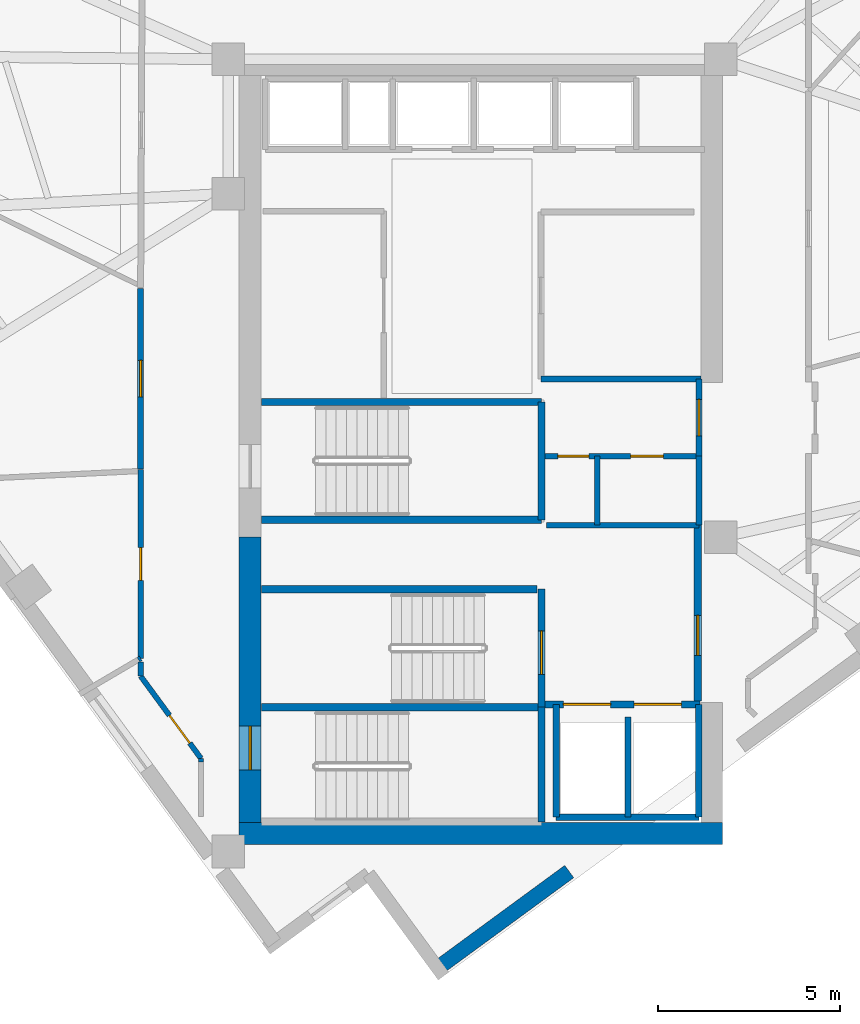
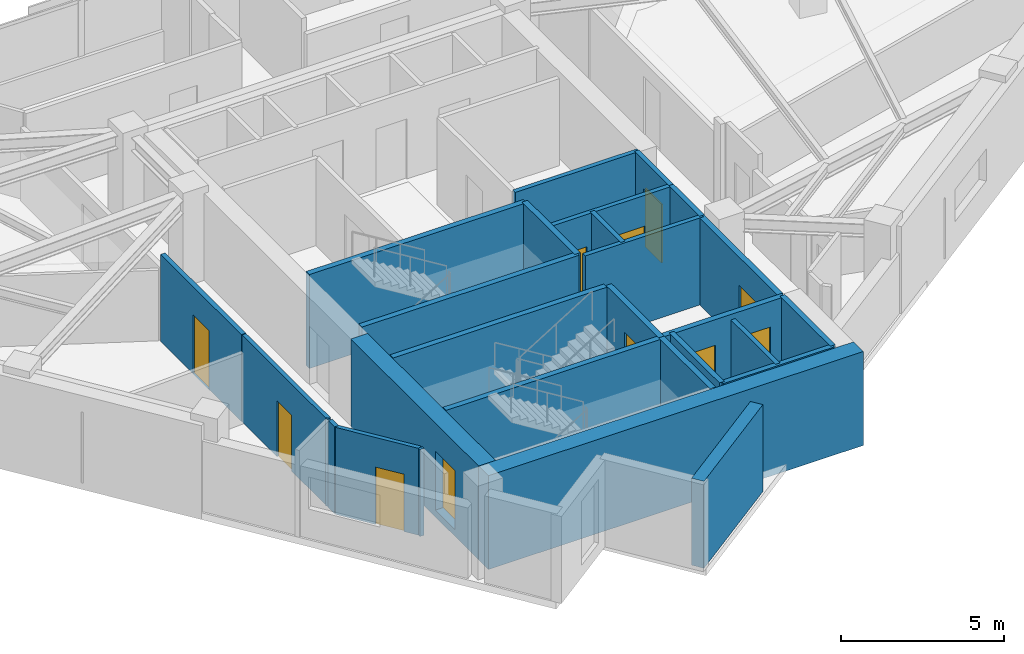
# One storey, part 8 of 13: 28 walls, 11 doors, 11 openings.
"""IFC4 building model written with IfcOpenShell, lengths in metres."""

import ifcopenshell
import ifcopenshell.guid

model = None  # the IFC model being written
_history = None  # IfcOwnerHistory: only IFC2X3 demands one
_inside = {}  # id of a spatial element -> (the spatial element, [elements in it])
_under = {}  # id of a project, library or spatial element -> (it, [spatial elements below it])
_declared = {}  # id of a project -> (the project, [libraries it declares])
_typed = {}  # id of a type object -> (the type object, [elements of that type])
_made_of = {}  # id of a material, layer set ... -> (it, [elements and type objects made of it])


def new_model(schema):
    """Start an empty IFC model of exactly this schema.

    Asked for "IFC4X3", IfcOpenShell would pick the latest addendum, in which some entities
    have other attributes; the version numbers below select the first issue.
    IFC2X3 requires an IfcOwnerHistory on every rooted entity: one is made here for all.
    """
    global model, _history
    if schema == "IFC4X3":
        model = ifcopenshell.file(schema_version=(4, 3, 0, 0))
    else:
        model = ifcopenshell.file(schema=schema)
    _inside.clear()
    _under.clear()
    _declared.clear()
    _typed.clear()
    _made_of.clear()
    _history = None
    if model.schema == "IFC2X3":
        org = make("IfcOrganization", Name="unknown")
        user = make(
            "IfcPersonAndOrganization",
            ThePerson=make("IfcPerson", FamilyName="unknown"),
            TheOrganization=org,
        )
        app = make(
            "IfcApplication",
            ApplicationDeveloper=org,
            Version="unknown",
            ApplicationFullName="unknown",
            ApplicationIdentifier="unknown",
        )
        _history = make(
            "IfcOwnerHistory",
            OwningUser=user,
            OwningApplication=app,
            ChangeAction="ADDED",
            CreationDate=0,
        )
    return model


def make(cls, **values):
    """One entity of the class cls with the attributes given. An attribute that is None is left unset."""
    return model.create_entity(
        cls, **{name: value for name, value in values.items() if value is not None}
    )


def rooted(cls, **values):
    """An entity with a GlobalId (a new one), such as an element, a storey or a relation."""
    return make(cls, GlobalId=ifcopenshell.guid.new(), OwnerHistory=_history, **values)


def si_unit(unit_type, name, prefix=None):
    """IfcSIUnit, for example si_unit("LENGTHUNIT", "METRE", prefix="MILLI")."""
    return make("IfcSIUnit", UnitType=unit_type, Prefix=prefix, Name=name)


def assignment(units):
    """IfcUnitAssignment: the units of a project."""
    return None if units is None else make("IfcUnitAssignment", Units=units)


def point(xyz):
    """IfcCartesianPoint."""
    return None if xyz is None else make("IfcCartesianPoint", Coordinates=xyz)


def direction(xyz):
    """IfcDirection."""
    return None if xyz is None else make("IfcDirection", DirectionRatios=xyz)


def frame(location, z_axis=None, x_axis=None):
    """IfcAxis2Placement3D, a coordinate frame: its origin and axes. An axis left out is left unset."""
    return make(
        "IfcAxis2Placement3D",
        Location=point(location),
        Axis=direction(z_axis),
        RefDirection=direction(x_axis),
    )


def frame_2d(location, x_axis=None):
    """IfcAxis2Placement2D, a coordinate frame in the plane: its origin and x axis."""
    return make(
        "IfcAxis2Placement2D", Location=point(location), RefDirection=direction(x_axis)
    )


def origin():
    """The frame at (0, 0, 0) with its axes left unset."""
    return frame((0.0, 0.0, 0.0))


def place(relative_to, where):
    """IfcLocalPlacement: puts the frame where relative to a parent placement (None: the world)."""
    return make(
        "IfcLocalPlacement", PlacementRelTo=relative_to, RelativePlacement=where
    )


def context(
    kind, dimensions, precision=None, world=None, true_north=None, identifier=None
):
    """IfcGeometricRepresentationContext, for example the 3D "Model" context."""
    return make(
        "IfcGeometricRepresentationContext",
        ContextIdentifier=identifier,
        ContextType=kind,
        CoordinateSpaceDimension=dimensions,
        Precision=precision,
        WorldCoordinateSystem=world,
        TrueNorth=true_north,
    )


def subcontext(parent, identifier, kind, view, scale=None):
    """IfcGeometricRepresentationSubContext, for example "Body" below "Model"."""
    return make(
        "IfcGeometricRepresentationSubContext",
        ContextIdentifier=identifier,
        ContextType=kind,
        ParentContext=parent,
        TargetScale=scale,
        TargetView=view,
    )


def project(units=None, contexts=None):
    """IfcProject with its units and contexts."""
    return rooted(
        "IfcProject",
        Name="project",
        RepresentationContexts=contexts,
        UnitsInContext=assignment(units),
    )


def spatial(cls, under=None, at=None, **own):
    """A site, building, storey or space (cls), placed at a placement, below another one or the project."""
    s = rooted(cls, ObjectPlacement=at, **own)
    if under is not None:
        _under.setdefault(under.id(), (under, []))[1].append(s)
    return s


def profile(cls, at=None, kind="AREA", **sizes):
    """A parametric profile (cls). Its sizes go by their IFC names, for example OverallWidth=200.0."""
    return make(cls, ProfileType=kind, Position=at, **sizes)


def rectangle(**sizes):
    """IfcRectangleProfileDef."""
    return profile("IfcRectangleProfileDef", **sizes)


def extrude(swept, where, along, depth):
    """IfcExtrudedAreaSolid: the profile swept, set in the frame where, extruded along a direction by depth."""
    return make(
        "IfcExtrudedAreaSolid",
        SweptArea=swept,
        Position=where,
        ExtrudedDirection=direction(along),
        Depth=depth,
    )


def shape(context_of_items, identifier, shape_type, items):
    """IfcShapeRepresentation: the items that make up one representation, for example the "Body"."""
    return make(
        "IfcShapeRepresentation",
        ContextOfItems=context_of_items,
        RepresentationIdentifier=identifier,
        RepresentationType=shape_type,
        Items=items,
    )


def material(Name=None, Category=None):
    """IfcMaterial."""
    return make("IfcMaterial", Name=Name, Category=Category)


def layer(
    of_material, thickness, ventilated=None, Name=None, Category=None, Priority=None
):
    """IfcMaterialLayer: one layer of a wall or slab, of a material (None: an air gap)."""
    return make(
        "IfcMaterialLayer",
        Material=of_material,
        LayerThickness=thickness,
        IsVentilated=ventilated,
        Name=Name,
        Category=Category,
        Priority=Priority,
    )


def layer_set(layers, Name=None):
    """IfcMaterialLayerSet."""
    return make("IfcMaterialLayerSet", MaterialLayers=layers, LayerSetName=Name)


def made_of(thing, what):
    """Note that an element or type object is made of a material, layer set ...; save() writes the relation."""
    if what is not None:
        _made_of.setdefault(what.id(), (what, []))[1].append(thing)
    return thing


def type_object(cls, material=None, **own):
    """A type object (cls), such as IfcWallType, which elements share."""
    return made_of(rooted(cls, **own), material)


def element(
    cls,
    number,
    at=None,
    inside=None,
    cuts=None,
    type_object=None,
    material=None,
    context=None,
    identifier="Body",
    shape_type=None,
    held_by="IfcProductDefinitionShape",
    body=None,
    shapes=None,
    **own,
):
    """One element of the class cls, such as IfcWall. Its Tag is "e" and its number.

    at: its placement. inside: the storey or other place that contains it. cuts: it is an
    opening in that element (IfcRelVoidsElement). A single representation is given by context,
    identifier, shape_type and body (its items); several are given by shapes. held_by: the class
    of the entity that holds the representations. save() writes the other relations.
    """
    e = rooted(cls, Tag="e%d" % number, ObjectPlacement=at, **own)
    if body is not None:
        shapes = [shape(context, identifier, shape_type, body)]
    if shapes is not None:
        e.Representation = make(held_by, Representations=shapes)
    if inside is not None:
        _inside.setdefault(inside.id(), (inside, []))[1].append(e)
    if cuts is not None:
        rooted(
            "IfcRelVoidsElement", RelatingBuildingElement=cuts, RelatedOpeningElement=e
        )
    if type_object is not None:
        _typed.setdefault(type_object.id(), (type_object, []))[1].append(e)
    return made_of(e, material)


def fill(opening, filler):
    """IfcRelFillsElement: the door or window that sits in an opening."""
    return rooted(
        "IfcRelFillsElement",
        RelatingOpeningElement=opening,
        RelatedBuildingElement=filler,
    )


def aggregate(whole, parts):
    """IfcRelAggregates: a whole, such as a stair, and the parts it consists of."""
    return rooted("IfcRelAggregates", RelatingObject=whole, RelatedObjects=parts)


def save(model, path):
    """Write the relations noted so far, then the file.

    IfcRelAggregates (storeys below a building ...), IfcRelContainedInSpatialStructure (elements
    in a storey), IfcRelDefinesByType, IfcRelAssociatesMaterial and IfcRelDeclares: one each for
    every whole, place, type object, material and project.
    """
    for whole, parts in _under.values():
        aggregate(whole, parts)
    for where, things in _inside.values():
        rooted(
            "IfcRelContainedInSpatialStructure",
            RelatedElements=things,
            RelatingStructure=where,
        )
    for kind, things in _typed.values():
        rooted("IfcRelDefinesByType", RelatedObjects=things, RelatingType=kind)
    for what, things in _made_of.values():
        rooted("IfcRelAssociatesMaterial", RelatedObjects=things, RelatingMaterial=what)
    for by, libraries in _declared.values():
        rooted("IfcRelDeclares", RelatingContext=by, RelatedDefinitions=libraries)
    model.write(path)


model = new_model("IFC4")

# Units and contexts
model_context = context("Model", 3, precision=1e-05, world=origin(), true_north=direction((0.0, 1.0)))
body_context = subcontext(model_context, "Body", "Model", "MODEL_VIEW")
ifc_project = project(units=[si_unit("LENGTHUNIT", "METRE"), si_unit("AREAUNIT", "SQUARE_METRE"), si_unit("VOLUMEUNIT", "CUBIC_METRE"), si_unit("PLANEANGLEUNIT", "RADIAN"), si_unit("MASSUNIT", "GRAM", prefix="KILO")], contexts=[model_context])

# Site, building, storey
site_placement = place(None, origin())
site = spatial("IfcSite", under=ifc_project, at=site_placement, CompositionType="ELEMENT")
building_placement = place(site_placement, origin())
building = spatial("IfcBuilding", under=site, at=building_placement, Name="Narakoshi Arena Tower", CompositionType="ELEMENT")
storey_placement = place(building_placement, frame((0.0, 0.0, 257.219970703125)))
storey = spatial("IfcBuildingStorey", under=building, at=storey_placement, Name="L70", CompositionType="ELEMENT", Elevation=257.219970703125)

# Wall, opening, door
ifc_material_1 = material(Name="Concrete C50/60", Category="concrete")
ifc_layer_1 = layer(ifc_material_1, 0.60009765625)
ifc_layer_set_1 = layer_set([ifc_layer_1], Name="Concrete C50/60")
wall_type_1 = type_object("IfcWallType", Name="WL-CORE-600", PredefinedType="SHEAR", material=ifc_layer_set_1)
wall_1_placement = place(storey_placement, frame((72.60009765625, 35.5, -0.260009765625), z_axis=(0.0, 0.0, 1.0), x_axis=(0.0, 1.0, 0.0)))
wall_1 = element("IfcWall", 1, at=wall_1_placement, inside=storey, type_object=wall_type_1, Name="L70 Central Core Shear Wall CW-APX-W", PredefinedType="SHEAR", context=body_context, shape_type="SweptSolid", body=[
    extrude(rectangle(XDim=7.85009765625, YDim=0.60009765625, at=frame_2d((3.925048828125, 0.0))), origin(), (0.0, 0.0, 1.0), 3.52001953125),
])
opening_1_placement = place(wall_1_placement, frame((1.449951171875, 0.0, 0.260009765625)))
opening_1 = element("IfcOpeningElement", 2, at=opening_1_placement, cuts=wall_1, Name="Opening D-03", PredefinedType="OPENING", context=body_context, shape_type="SweptSolid", body=[
    extrude(rectangle(XDim=1.199951171875, YDim=2.199951171875, at=frame_2d((0.60009765625, 1.10009765625))), frame((0.0, 0.31005859375, 0.0), z_axis=(0.0, -1.0, 0.0), x_axis=(1.0, 0.0, 0.0)), (0.0, 0.0, 1.0), 0.6201171875),
])
ifc_material_2 = material(Name="Painted galvanized steel", Category="steel")
door_type_1 = type_object("IfcDoorType", Name="DR-STR-1200", OperationType="NOTDEFINED", PredefinedType="USERDEFINED", material=ifc_material_2)
door_1_placement = place(opening_1_placement, frame((1.199951171875, 0.0, 0.0), z_axis=(0.0, 0.0, 1.0), x_axis=(-1.0, 0.0, 0.0)))
door_1 = element("IfcDoor", 3, at=door_1_placement, inside=storey, type_object=door_type_1, Name="DR-L70-001", ObjectType="EXITDOOR", OperationType="SINGLE_SWING_LEFT", OverallHeight=2.199951171875, OverallWidth=1.199951171875, PredefinedType="USERDEFINED", context=body_context, shape_type="SweptSolid", body=[
    extrude(rectangle(XDim=1.199951171875, YDim=2.199951171875, at=frame_2d((0.60009765625, 1.10009765625))), frame((0.0, 0.02490234375, 0.0), z_axis=(0.0, -1.0, 0.0), x_axis=(1.0, 0.0, 0.0)), (0.0, 0.0, 1.0), 0.050048828125),
])
fill(opening_1, door_1)

# Wall
wall_2_placement = place(storey_placement, frame((72.300048828125, 35.199951171875, -0.260009765625), z_axis=(0.0, 0.0, 1.0), x_axis=(1.0, 0.0, 0.0)))
element("IfcWall", 4, at=wall_2_placement, inside=storey, type_object=wall_type_1, Name="L70 Central Core Shear Wall CW-APX-S", PredefinedType="SHEAR", context=body_context, shape_type="SweptSolid", body=[
    extrude(rectangle(XDim=13.300048828125, YDim=0.60009765625, at=frame_2d((6.64990234375, 0.0))), origin(), (0.0, 0.0, 1.0), 3.52001953125),
])

# Wall, opening, door
ifc_material_3 = material(Name="Gypsum plasterboard fire-rated partition")
ifc_layer_2 = layer(ifc_material_3, 0.1650390625)
ifc_layer_set_2 = layer_set([ifc_layer_2], Name="Gypsum plasterboard fire-rated partition")
wall_type_2 = type_object("IfcWallType", Name="WL-CORR-165", PredefinedType="PARTITIONING", material=ifc_layer_set_2)
wall_3_placement = place(storey_placement, frame((84.949951171875, 45.580078125, 0.0), z_axis=(0.0, 0.0, 1.0), x_axis=(0.0, 1.0, 0.0)))
wall_3 = element("IfcWall", 5, at=wall_3_placement, inside=storey, type_object=wall_type_2, Name="L70 Core Wall CPAS-E", PredefinedType="PARTITIONING", context=body_context, shape_type="SweptSolid", body=[
    extrude(rectangle(XDim=2.119873046875, YDim=0.1650390625, at=frame_2d((1.06005859375, 0.0))), origin(), (0.0, 0.0, 1.0), 3.260009765625),
])
opening_2_placement = place(wall_3_placement, frame((0.56005859375, 0.0, 0.0)))
opening_2 = element("IfcOpeningElement", 6, at=opening_2_placement, cuts=wall_3, Name="Opening D-06", PredefinedType="OPENING", context=body_context, shape_type="SweptSolid", body=[
    extrude(rectangle(XDim=1.0, YDim=2.199951171875, at=frame_2d((0.5, 1.10009765625))), frame((0.0, 0.092529296875, 0.0), z_axis=(0.0, -1.0, 0.0), x_axis=(1.0, 0.0, 0.0)), (0.0, 0.0, 1.0), 0.18505859375),
])
ifc_material_4 = material(Name="Stained oak solid-core timber", Category="wood")
door_type_2 = type_object("IfcDoorType", Name="DR-OFF-1000", OperationType="NOTDEFINED", PredefinedType="DOOR", material=ifc_material_4)
door_2_placement = place(opening_2_placement, frame((1.0, 0.0, 0.0), z_axis=(0.0, 0.0, 1.0), x_axis=(-1.0, 0.0, 0.0)))
door_2 = element("IfcDoor", 7, at=door_2_placement, inside=storey, type_object=door_type_2, Name="DR-L70-007", OperationType="SINGLE_SWING_LEFT", OverallHeight=2.199951171875, OverallWidth=1.0, PredefinedType="DOOR", context=body_context, shape_type="SweptSolid", body=[
    extrude(rectangle(XDim=1.0, YDim=2.199951171875, at=frame_2d((0.5, 1.10009765625))), frame((0.0, 0.02490234375, 0.0), z_axis=(0.0, -1.0, 0.0), x_axis=(1.0, 0.0, 0.0)), (0.0, 0.0, 1.0), 0.050048828125),
])
fill(opening_2, door_2)

wall_4_placement = place(storey_placement, frame((69.588623046875, 50.19287109375, 0.0), z_axis=(0.0, 0.0, 1.0), x_axis=(0.0, -1.0, 0.0)))
wall_4 = element("IfcWall", 8, at=wall_4_placement, inside=storey, type_object=wall_type_2, Name="L70 Corridor Partition 09-1", PredefinedType="PARTITIONING", context=body_context, shape_type="SweptSolid", body=[
    extrude(rectangle(XDim=4.96044921875, YDim=0.1650390625, at=frame_2d((2.480224609375, 0.0))), origin(), (0.0, 0.0, 1.0), 3.260009765625),
])
opening_3_placement = place(wall_4_placement, frame((1.980224609375, 0.0, 0.0)))
opening_3 = element("IfcOpeningElement", 9, at=opening_3_placement, cuts=wall_4, Name="Opening D-06", PredefinedType="OPENING", context=body_context, shape_type="SweptSolid", body=[
    extrude(rectangle(XDim=1.0, YDim=2.199951171875, at=frame_2d((0.5, 1.10009765625))), frame((0.0, 0.092529296875, 0.0), z_axis=(0.0, -1.0, 0.0), x_axis=(1.0, 0.0, 0.0)), (0.0, 0.0, 1.0), 0.18505859375),
])
door_3_placement = place(opening_3_placement, frame((1.0, 0.0, 0.0), z_axis=(0.0, 0.0, 1.0), x_axis=(-1.0, 0.0, 0.0)))
door_3 = element("IfcDoor", 10, at=door_3_placement, inside=storey, type_object=door_type_2, Name="DR-L70-023", OperationType="SINGLE_SWING_RIGHT", OverallHeight=2.199951171875, OverallWidth=1.0, PredefinedType="DOOR", context=body_context, shape_type="SweptSolid", body=[
    extrude(rectangle(XDim=1.0, YDim=2.199951171875, at=frame_2d((0.5, 1.10009765625))), frame((0.0, 0.02490234375, 0.0), z_axis=(0.0, -1.0, 0.0), x_axis=(1.0, 0.0, 0.0)), (0.0, 0.0, 1.0), 0.050048828125),
])
fill(opening_3, door_3)

# Walls
ifc_material_5 = material(Name="Precast concrete C45/55", Category="concrete")
ifc_layer_3 = layer(ifc_material_5, 0.419921875)
ifc_layer_set_3 = layer_set([ifc_layer_3], Name="Precast concrete C45/55")
wall_type_3 = type_object("IfcWallType", Name="WL-POD-420", PredefinedType="SOLIDWALL", material=ifc_layer_set_3)
wall_5_placement = place(storey_placement, frame((77.760009765625, 31.4951171875, 0.0), z_axis=(0.0, 0.0, 1.0), x_axis=(0.806458583304, 0.591290582891, 0.0)))
element("IfcWall", 11, at=wall_5_placement, inside=storey, type_object=wall_type_3, Name="L70 Architectural Concrete Facade Wall LEGA-1", PredefinedType="SOLIDWALL", context=body_context, shape_type="SweptSolid", body=[
    extrude(rectangle(XDim=4.48974609375, YDim=0.419921875, at=frame_2d((2.244873046875, 0.0))), origin(), (0.0, 0.0, 1.0), 3.260009765625),
])
ifc_material_6 = material(Name="Concrete C40/50", Category="concrete")
ifc_layer_4 = layer(ifc_material_6, 0.280029296875)
ifc_layer_set_4 = layer_set([ifc_layer_4], Name="Concrete C40/50")
wall_type_4 = type_object("IfcWallType", Name="WL-RISER-280", PredefinedType="PLUMBINGWALL", material=ifc_layer_set_4)
wall_6_placement = place(storey_placement, frame((83.0, 35.64990234375, 0.0), z_axis=(0.0, 0.0, 1.0), x_axis=(0.0, 1.0, 0.0)))
element("IfcWall", 12, at=wall_6_placement, inside=storey, type_object=wall_type_4, Name="L70 Core Wall FF-DIV", PredefinedType="PLUMBINGWALL", context=body_context, shape_type="SweptSolid", body=[
    extrude(rectangle(XDim=2.75, YDim=0.159912109375, at=frame_2d((1.375, 0.0))), origin(), (0.0, 0.0, 1.0), 3.260009765625),
])
wall_7_placement = place(storey_placement, frame((84.949951171875, 43.679931640625, 0.0), z_axis=(0.0, 0.0, 1.0), x_axis=(0.0, 1.0, 0.0)))
element("IfcWall", 13, at=wall_7_placement, inside=storey, type_object=wall_type_4, Name="L70 Core Wall RSR-E", PredefinedType="PLUMBINGWALL", context=body_context, shape_type="SweptSolid", body=[
    extrude(rectangle(XDim=1.900146484375, YDim=0.1650390625, at=frame_2d((0.9501953125, 0.0))), origin(), (0.0, 0.0, 1.0), 3.260009765625),
])

# Wall, openings, doors
wall_8_placement = place(storey_placement, frame((80.719970703125, 45.580078125, 0.0), z_axis=(0.0, 0.0, 1.0), x_axis=(1.0, 0.0, 0.0)))
wall_8 = element("IfcWall", 14, at=wall_8_placement, inside=storey, type_object=wall_type_4, Name="L70 Core Wall RSR-N", PredefinedType="PLUMBINGWALL", context=body_context, shape_type="SweptSolid", body=[
    extrude(rectangle(XDim=4.22998046875, YDim=0.159912109375, at=frame_2d((2.114990234375, 0.0))), origin(), (0.0, 0.0, 1.0), 3.260009765625),
])
opening_4_placement = place(wall_8_placement, frame((0.35009765625, 0.0, 0.0)))
opening_4 = element("IfcOpeningElement", 15, at=opening_4_placement, cuts=wall_8, Name="Opening D-10", PredefinedType="OPENING", context=body_context, shape_type="SweptSolid", body=[
    extrude(rectangle(XDim=0.85009765625, YDim=2.050048828125, at=frame_2d((0.425048828125, 1.02490234375))), frame((0.0, 0.08984375, 0.0), z_axis=(0.0, -1.0, 0.0), x_axis=(1.0, 0.0, 0.0)), (0.0, 0.0, 1.0), 0.179931640625),
])
opening_5_placement = place(wall_8_placement, frame((2.35009765625, 0.0, 0.0)))
opening_5 = element("IfcOpeningElement", 16, at=opening_5_placement, cuts=wall_8, Name="Opening D-08", PredefinedType="OPENING", context=body_context, shape_type="SweptSolid", body=[
    extrude(rectangle(XDim=0.89990234375, YDim=2.10009765625, at=frame_2d((0.449951171875, 1.050048828125))), frame((0.0, 0.08984375, 0.0), z_axis=(0.0, -1.0, 0.0), x_axis=(1.0, 0.0, 0.0)), (0.0, 0.0, 1.0), 0.179931640625),
])
door_type_3 = type_object("IfcDoorType", Name="DR-RSR-850", OperationType="NOTDEFINED", PredefinedType="DOOR", material=ifc_material_2)
door_4_placement = place(opening_4_placement, frame((0.85009765625, 0.0, 0.0), z_axis=(0.0, 0.0, 1.0), x_axis=(-1.0, 0.0, 0.0)))
door_4 = element("IfcDoor", 17, at=door_4_placement, inside=storey, type_object=door_type_3, Name="DR-L70-008", OperationType="SINGLE_SWING_LEFT", OverallHeight=2.050048828125, OverallWidth=0.85009765625, PredefinedType="DOOR", context=body_context, shape_type="SweptSolid", body=[
    extrude(rectangle(XDim=0.85009765625, YDim=2.050048828125, at=frame_2d((0.425048828125, 1.02490234375))), frame((0.0, 0.02490234375, 0.0), z_axis=(0.0, -1.0, 0.0), x_axis=(1.0, 0.0, 0.0)), (0.0, 0.0, 1.0), 0.050048828125),
])
fill(opening_4, door_4)
ifc_material_7 = material(Name="Moisture-resistant laminate timber", Category="wood")
door_type_4 = type_object("IfcDoorType", Name="DR-WC-900", OperationType="NOTDEFINED", PredefinedType="DOOR", material=ifc_material_7)
door_5_placement = place(opening_5_placement, frame((0.89990234375, 0.0, 0.0), z_axis=(0.0, 0.0, 1.0), x_axis=(-1.0, 0.0, 0.0)))
door_5 = element("IfcDoor", 18, at=door_5_placement, inside=storey, type_object=door_type_4, Name="DR-L70-009", OperationType="SINGLE_SWING_RIGHT", OverallHeight=2.10009765625, OverallWidth=0.89990234375, PredefinedType="DOOR", context=body_context, shape_type="SweptSolid", body=[
    extrude(rectangle(XDim=0.89990234375, YDim=2.10009765625, at=frame_2d((0.449951171875, 1.050048828125))), frame((0.0, 0.02490234375, 0.0), z_axis=(0.0, -1.0, 0.0), x_axis=(1.0, 0.0, 0.0)), (0.0, 0.0, 1.0), 0.050048828125),
])
fill(opening_5, door_5)

# Walls
wall_9_placement = place(storey_placement, frame((80.760009765625, 43.679931640625, 0.0), z_axis=(0.0, 0.0, 1.0), x_axis=(1.0, 0.0, 0.0)))
element("IfcWall", 19, at=wall_9_placement, inside=storey, type_object=wall_type_4, Name="L70 Core Wall RSR-S", PredefinedType="PLUMBINGWALL", context=body_context, shape_type="SweptSolid", body=[
    extrude(rectangle(XDim=4.18994140625, YDim=0.159912109375, at=frame_2d((2.094970703125, 0.0))), origin(), (0.0, 0.0, 1.0), 3.260009765625),
])
wall_10_placement = place(storey_placement, frame((82.14990234375, 43.679931640625, 0.0), z_axis=(0.0, 0.0, 1.0), x_axis=(0.0, 1.0, 0.0)))
element("IfcWall", 20, at=wall_10_placement, inside=storey, type_object=wall_type_4, Name="L70 Core Wall RSR-M", PredefinedType="PLUMBINGWALL", context=body_context, shape_type="SweptSolid", body=[
    extrude(rectangle(XDim=1.900146484375, YDim=0.159912109375, at=frame_2d((0.9501953125, 0.0))), origin(), (0.0, 0.0, 1.0), 3.260009765625),
])
ifc_layer_5 = layer(ifc_material_1, 0.35009765625)
ifc_layer_set_5 = layer_set([ifc_layer_5], Name="Concrete C50/60")
wall_type_5 = type_object("IfcWallType", Name="WL-SHAFT-350", PredefinedType="SOLIDWALL", material=ifc_layer_set_5)
wall_11_placement = place(storey_placement, frame((72.919921875, 38.675048828125, -0.260009765625), z_axis=(0.0, 0.0, 1.0), x_axis=(1.0, 0.0, 0.0)))
element("IfcWall", 21, at=wall_11_placement, inside=storey, type_object=wall_type_5, Name="L70 Core Wall ST12-DIV", PredefinedType="SOLIDWALL", context=body_context, shape_type="SweptSolid", body=[
    extrude(rectangle(XDim=7.7001953125, YDim=0.199951171875, at=frame_2d((3.85009765625, 0.0))), origin(), (0.0, 0.0, 1.0), 3.52001953125),
])
wall_12_placement = place(storey_placement, frame((80.6201171875, 35.52001953125, -0.260009765625), z_axis=(0.0, 0.0, 1.0), x_axis=(0.0, 1.0, 0.0)))
element("IfcWall", 22, at=wall_12_placement, inside=storey, type_object=wall_type_5, Name="L70 Core Wall ST1-E", PredefinedType="SOLIDWALL", context=body_context, shape_type="SweptSolid", body=[
    extrude(rectangle(XDim=3.155029296875, YDim=0.199951171875, at=frame_2d((1.57763671875, 0.0))), origin(), (0.0, 0.0, 1.0), 3.52001953125),
])

# Wall, opening, door
wall_13_placement = place(storey_placement, frame((80.6201171875, 38.675048828125, -0.260009765625), z_axis=(0.0, 0.0, 1.0), x_axis=(0.0, 1.0, 0.0)))
wall_13 = element("IfcWall", 23, at=wall_13_placement, inside=storey, type_object=wall_type_5, Name="L70 Core Wall ST2-E", PredefinedType="SOLIDWALL", context=body_context, shape_type="SweptSolid", body=[
    extrude(rectangle(XDim=3.244873046875, YDim=0.199951171875, at=frame_2d((1.62255859375, 0.0))), origin(), (0.0, 0.0, 1.0), 3.52001953125),
])
opening_6_placement = place(wall_13_placement, frame((0.89990234375, 0.0, 0.260009765625)))
opening_6 = element("IfcOpeningElement", 24, at=opening_6_placement, cuts=wall_13, Name="Opening D-03", PredefinedType="OPENING", context=body_context, shape_type="SweptSolid", body=[
    extrude(rectangle(XDim=1.199951171875, YDim=2.199951171875, at=frame_2d((0.60009765625, 1.10009765625))), frame((0.0, 0.10986328125, 0.0), z_axis=(0.0, -1.0, 0.0), x_axis=(1.0, 0.0, 0.0)), (0.0, 0.0, 1.0), 0.219970703125),
])
door_6_placement = place(opening_6_placement, origin())
door_6 = element("IfcDoor", 25, at=door_6_placement, inside=storey, type_object=door_type_1, Name="DR-L70-002", ObjectType="EXITDOOR", OperationType="SINGLE_SWING_RIGHT", OverallHeight=2.199951171875, OverallWidth=1.199951171875, PredefinedType="USERDEFINED", context=body_context, shape_type="SweptSolid", body=[
    extrude(rectangle(XDim=1.199951171875, YDim=2.199951171875, at=frame_2d((0.60009765625, 1.10009765625))), frame((0.0, 0.02490234375, 0.0), z_axis=(0.0, -1.0, 0.0), x_axis=(1.0, 0.0, 0.0)), (0.0, 0.0, 1.0), 0.050048828125),
])
fill(opening_6, door_6)

# Wall, openings, doors
wall_14_placement = place(storey_placement, frame((80.719970703125, 38.75, 0.0), z_axis=(0.0, 0.0, 1.0), x_axis=(1.0, 0.0, 0.0)))
wall_14 = element("IfcWall", 26, at=wall_14_placement, inside=storey, type_object=wall_type_5, Name="L70 Core Wall FF-N", PredefinedType="SOLIDWALL", context=body_context, shape_type="SweptSolid", body=[
    extrude(rectangle(XDim=4.260009765625, YDim=0.199951171875, at=frame_2d((2.1298828125, 0.0))), origin(), (0.0, 0.0, 1.0), 3.260009765625),
])
opening_7_placement = place(wall_14_placement, frame((0.5, 0.0, 0.0)))
opening_7 = element("IfcOpeningElement", 27, at=opening_7_placement, cuts=wall_14, Name="Opening LD-02", PredefinedType="OPENING", context=body_context, shape_type="SweptSolid", body=[
    extrude(rectangle(XDim=1.300048828125, YDim=2.300048828125, at=frame_2d((0.64990234375, 1.14990234375))), frame((0.0, 0.10986328125, 0.0), z_axis=(0.0, -1.0, 0.0), x_axis=(1.0, 0.0, 0.0)), (0.0, 0.0, 1.0), 0.219970703125),
])
opening_8_placement = place(wall_14_placement, frame((2.449951171875, 0.0, 0.0)))
opening_8 = element("IfcOpeningElement", 28, at=opening_8_placement, cuts=wall_14, Name="Opening LD-02", PredefinedType="OPENING", context=body_context, shape_type="SweptSolid", body=[
    extrude(rectangle(XDim=1.300048828125, YDim=2.300048828125, at=frame_2d((0.64990234375, 1.14990234375))), frame((0.0, 0.10986328125, 0.0), z_axis=(0.0, -1.0, 0.0), x_axis=(1.0, 0.0, 0.0)), (0.0, 0.0, 1.0), 0.219970703125),
])
ifc_material_8 = material(Name="Brushed bronze stainless steel", Category="steel")
door_type_5 = type_object("IfcDoorType", Name="DR-LFT-1300", OperationType="DOUBLE_DOOR_SLIDING", PredefinedType="DOOR", material=ifc_material_8)
door_7_placement = place(opening_7_placement, origin())
door_7 = element("IfcDoor", 29, at=door_7_placement, inside=storey, type_object=door_type_5, Name="DR-L70-003", OperationType="DOUBLE_DOOR_SLIDING", OverallHeight=2.300048828125, OverallWidth=1.300048828125, PredefinedType="DOOR", context=body_context, shape_type="SweptSolid", body=[
    extrude(rectangle(XDim=1.300048828125, YDim=2.300048828125, at=frame_2d((0.64990234375, 1.14990234375))), frame((0.0, 0.02490234375, 0.0), z_axis=(0.0, -1.0, 0.0), x_axis=(1.0, 0.0, 0.0)), (0.0, 0.0, 1.0), 0.050048828125),
])
fill(opening_7, door_7)
door_8_placement = place(opening_8_placement, origin())
door_8 = element("IfcDoor", 30, at=door_8_placement, inside=storey, type_object=door_type_5, Name="DR-L70-004", OperationType="DOUBLE_DOOR_SLIDING", OverallHeight=2.300048828125, OverallWidth=1.300048828125, PredefinedType="DOOR", context=body_context, shape_type="SweptSolid", body=[
    extrude(rectangle(XDim=1.300048828125, YDim=2.300048828125, at=frame_2d((0.64990234375, 1.14990234375))), frame((0.0, 0.02490234375, 0.0), z_axis=(0.0, -1.0, 0.0), x_axis=(1.0, 0.0, 0.0)), (0.0, 0.0, 1.0), 0.050048828125),
])
fill(opening_8, door_8)

# Walls
for number, where, z_axis, x_axis, name in (
    (31, (84.949951171875, 35.64990234375, 0.0), (0.0, 0.0, 1.0), (0.0, 1.0, 0.0), "L70 Core Wall FF-E"),
    (32, (81.02001953125, 35.64990234375, 0.0), (0.0, 0.0, 1.0), (0.0, 1.0, 0.0), "L70 Core Wall FF-W"),
):
    element("IfcWall", number, at=place(storey_placement, frame(where, z_axis=z_axis, x_axis=x_axis)), inside=storey, type_object=wall_type_5, Name=name, PredefinedType="SOLIDWALL", context=body_context, shape_type="SweptSolid", body=[
        extrude(rectangle(XDim=3.10009765625, YDim=0.179931640625, at=frame_2d((1.550048828125, 0.0))), origin(), (0.0, 0.0, 1.0), 3.260009765625),
    ])
wall_15_placement = place(storey_placement, frame((81.02001953125, 35.64990234375, 0.0), z_axis=(0.0, 0.0, 1.0), x_axis=(1.0, 0.0, 0.0)))
element("IfcWall", 33, at=wall_15_placement, inside=storey, type_object=wall_type_5, Name="L70 Core Wall FF-S", PredefinedType="SOLIDWALL", context=body_context, shape_type="SweptSolid", body=[
    extrude(rectangle(XDim=3.929931640625, YDim=0.179931640625, at=frame_2d((1.96484375, 0.0))), origin(), (0.0, 0.0, 1.0), 3.260009765625),
])

# Wall, opening, door
wall_16_placement = place(storey_placement, frame((84.919921875, 38.85009765625, 0.0), z_axis=(0.0, 0.0, 1.0), x_axis=(0.0, 1.0, 0.0)))
wall_16 = element("IfcWall", 34, at=wall_16_placement, inside=storey, type_object=wall_type_5, Name="L70 Core Wall FFLOB-E", PredefinedType="SOLIDWALL", context=body_context, shape_type="SweptSolid", body=[
    extrude(rectangle(XDim=4.829833984375, YDim=0.199951171875, at=frame_2d((2.4150390625, 0.0))), origin(), (0.0, 0.0, 1.0), 3.260009765625),
])
opening_9_placement = place(wall_16_placement, frame((1.25, 0.0, 0.0)))
opening_9 = element("IfcOpeningElement", 35, at=opening_9_placement, cuts=wall_16, Name="Opening D-04", PredefinedType="OPENING", context=body_context, shape_type="SweptSolid", body=[
    extrude(rectangle(XDim=1.10009765625, YDim=2.199951171875, at=frame_2d((0.550048828125, 1.10009765625))), frame((0.0, 0.10986328125, 0.0), z_axis=(0.0, -1.0, 0.0), x_axis=(1.0, 0.0, 0.0)), (0.0, 0.0, 1.0), 0.219970703125),
])
door_type_6 = type_object("IfcDoorType", Name="DR-FFL-1100", OperationType="NOTDEFINED", PredefinedType="DOOR", material=ifc_material_2)
door_9_placement = place(opening_9_placement, frame((1.10009765625, 0.0, 0.0), z_axis=(0.0, 0.0, 1.0), x_axis=(-1.0, 0.0, 0.0)))
door_9 = element("IfcDoor", 36, at=door_9_placement, inside=storey, type_object=door_type_6, Name="DR-L70-005", OperationType="SINGLE_SWING_RIGHT", OverallHeight=2.199951171875, OverallWidth=1.10009765625, PredefinedType="DOOR", context=body_context, shape_type="SweptSolid", body=[
    extrude(rectangle(XDim=1.10009765625, YDim=2.199951171875, at=frame_2d((0.550048828125, 1.10009765625))), frame((0.0, 0.02490234375, 0.0), z_axis=(0.0, -1.0, 0.0), x_axis=(1.0, 0.0, 0.0)), (0.0, 0.0, 1.0), 0.050048828125),
])
fill(opening_9, door_9)

# Walls
wall_17_placement = place(storey_placement, frame((72.919921875, 41.919921875, -0.260009765625), z_axis=(0.0, 0.0, 1.0), x_axis=(1.0, 0.0, 0.0)))
element("IfcWall", 37, at=wall_17_placement, inside=storey, type_object=wall_type_5, Name="L70 Core Wall ST2-N", PredefinedType="SOLIDWALL", context=body_context, shape_type="SweptSolid", body=[
    extrude(rectangle(XDim=7.580078125, YDim=0.199951171875, at=frame_2d((3.7900390625, 0.0))), origin(), (0.0, 0.0, 1.0), 3.52001953125),
])
for number, where, z_axis, x_axis, name in (
    (38, (72.919921875, 43.830078125, -0.260009765625), (0.0, 0.0, 1.0), (1.0, 0.0, 0.0), "L70 Core Wall ST3-S"),
    (39, (72.919921875, 47.070068359375, -0.260009765625), (0.0, 0.0, 1.0), (1.0, 0.0, 0.0), "L70 Core Wall ST3-N"),
):
    element("IfcWall", number, at=place(storey_placement, frame(where, z_axis=z_axis, x_axis=x_axis)), inside=storey, type_object=wall_type_5, Name=name, PredefinedType="SOLIDWALL", context=body_context, shape_type="SweptSolid", body=[
        extrude(rectangle(XDim=7.7001953125, YDim=0.199951171875, at=frame_2d((3.85009765625, 0.0))), origin(), (0.0, 0.0, 1.0), 3.52001953125),
    ])
wall_18_placement = place(storey_placement, frame((80.6201171875, 43.830078125, -0.260009765625), z_axis=(0.0, 0.0, 1.0), x_axis=(0.0, 1.0, 0.0)))
element("IfcWall", 40, at=wall_18_placement, inside=storey, type_object=wall_type_5, Name="L70 Core Wall ST3-E", PredefinedType="SOLIDWALL", context=body_context, shape_type="SweptSolid", body=[
    extrude(rectangle(XDim=3.239990234375, YDim=0.199951171875, at=frame_2d((1.6201171875, 0.0))), origin(), (0.0, 0.0, 1.0), 3.52001953125),
])
wall_19_placement = place(storey_placement, frame((80.60009765625, 47.699951171875, 0.0), z_axis=(0.0, 0.0, 1.0), x_axis=(1.0, 0.0, 0.0)))
element("IfcWall", 41, at=wall_19_placement, inside=storey, type_object=wall_type_5, Name="L70 Core Wall MR-S", PredefinedType="SOLIDWALL", context=body_context, shape_type="SweptSolid", body=[
    extrude(rectangle(XDim=4.39990234375, YDim=0.159912109375, at=frame_2d((2.199951171875, 0.0))), origin(), (0.0, 0.0, 1.0), 3.260009765625),
])

# Wall, opening, door
ifc_material_9 = material(Name="Moisture-resistant cement-board partition")
ifc_layer_6 = layer(ifc_material_9, 0.14501953125)
ifc_layer_set_6 = layer_set([ifc_layer_6], Name="Moisture-resistant cement-board partition")
wall_type_6 = type_object("IfcWallType", Name="WL-WET-145", PredefinedType="PARTITIONING", material=ifc_layer_set_6)
wall_20_placement = place(storey_placement, frame((69.588623046875, 45.20849609375, 0.0), z_axis=(0.0, 0.0, 1.0), x_axis=(0.0, -1.0, 0.0)))
wall_20 = element("IfcWall", 42, at=wall_20_placement, inside=storey, type_object=wall_type_6, Name="L70 Corridor Partition 01-1", PredefinedType="PARTITIONING", context=body_context, shape_type="SweptSolid", body=[
    extrude(rectangle(XDim=5.192138671875, YDim=0.14501953125, at=frame_2d((2.59619140625, 0.0))), origin(), (0.0, 0.0, 1.0), 3.260009765625),
])
opening_10_placement = place(wall_20_placement, frame((2.14599609375, 0.0, 0.0)))
opening_10 = element("IfcOpeningElement", 43, at=opening_10_placement, cuts=wall_20, Name="Opening D-08", PredefinedType="OPENING", context=body_context, shape_type="SweptSolid", body=[
    extrude(rectangle(XDim=0.89990234375, YDim=2.10009765625, at=frame_2d((0.449951171875, 1.050048828125))), frame((0.0, 0.08251953125, 0.0), z_axis=(0.0, -1.0, 0.0), x_axis=(1.0, 0.0, 0.0)), (0.0, 0.0, 1.0), 0.1650390625),
])
door_10_placement = place(opening_10_placement, frame((0.89990234375, 0.0, 0.0), z_axis=(0.0, 0.0, 1.0), x_axis=(-1.0, 0.0, 0.0)))
door_10 = element("IfcDoor", 44, at=door_10_placement, inside=storey, type_object=door_type_4, Name="DR-L70-015", OperationType="SINGLE_SWING_RIGHT", OverallHeight=2.10009765625, OverallWidth=0.89990234375, PredefinedType="DOOR", context=body_context, shape_type="SweptSolid", body=[
    extrude(rectangle(XDim=0.89990234375, YDim=2.10009765625, at=frame_2d((0.449951171875, 1.050048828125))), frame((0.0, 0.02490234375, 0.0), z_axis=(0.0, -1.0, 0.0), x_axis=(1.0, 0.0, 0.0)), (0.0, 0.0, 1.0), 0.050048828125),
])
fill(opening_10, door_10)

# Wall
wall_21_placement = place(storey_placement, frame((69.588623046875, 40.016357421875, 0.0), z_axis=(0.0, 0.0, 1.0), x_axis=(-0.855337907093, -0.518070520963, 0.0)))
element("IfcWall", 45, at=wall_21_placement, inside=storey, type_object=wall_type_6, Name="L70 Corridor Partition 01-2", PredefinedType="PARTITIONING", context=body_context, shape_type="SweptSolid", body=[
    extrude(rectangle(XDim=0.0703125, YDim=0.14501953125, at=frame_2d((0.03515625, 0.0))), origin(), (0.0, 0.0, 1.0), 3.260009765625),
])

# Wall, opening, door
wall_22_placement = place(storey_placement, frame((69.588623046875, 39.52734375, 0.0), z_axis=(0.0, 0.0, 1.0), x_axis=(0.591303389729, -0.806449193251, 0.0)))
wall_22 = element("IfcWall", 46, at=wall_22_placement, inside=storey, type_object=wall_type_6, Name="L70 Corridor Partition 02-1", PredefinedType="PARTITIONING", context=body_context, shape_type="SweptSolid", body=[
    extrude(rectangle(XDim=2.8095703125, YDim=0.14501953125, at=frame_2d((1.40478515625, 0.0))), origin(), (0.0, 0.0, 1.0), 3.260009765625),
])
opening_11_placement = place(wall_22_placement, frame((1.33837890625, 0.0, 0.0)))
opening_11 = element("IfcOpeningElement", 47, at=opening_11_placement, cuts=wall_22, Name="Opening D-07", PredefinedType="OPENING", context=body_context, shape_type="SweptSolid", body=[
    extrude(rectangle(XDim=0.949951171875, YDim=2.14990234375, at=frame_2d((0.47509765625, 1.074951171875))), frame((0.0, 0.08251953125, 0.0), z_axis=(0.0, -1.0, 0.0), x_axis=(1.0, 0.0, 0.0)), (0.0, 0.0, 1.0), 0.1650390625),
])
door_type_7 = type_object("IfcDoorType", Name="DR-ACC-950", OperationType="NOTDEFINED", PredefinedType="DOOR", material=ifc_material_4)
door_11_placement = place(opening_11_placement, frame((0.949951171875, 0.0, 0.0), z_axis=(0.0, 0.0, 1.0), x_axis=(-1.0, 0.0, 0.0)))
door_11 = element("IfcDoor", 48, at=door_11_placement, inside=storey, type_object=door_type_7, Name="DR-L70-016", OperationType="SINGLE_SWING_RIGHT", OverallHeight=2.14990234375, OverallWidth=0.949951171875, PredefinedType="DOOR", context=body_context, shape_type="SweptSolid", body=[
    extrude(rectangle(XDim=0.949951171875, YDim=2.14990234375, at=frame_2d((0.47509765625, 1.074951171875))), frame((0.0, 0.02490234375, 0.0), z_axis=(0.0, -1.0, 0.0), x_axis=(1.0, 0.0, 0.0)), (0.0, 0.0, 1.0), 0.050048828125),
])
fill(opening_11, door_11)

# Walls
wall_23_placement = place(storey_placement, frame((69.588623046875, 39.91748046875, 0.0), z_axis=(0.0, 0.0, 1.0), x_axis=(0.0, -1.0, 0.0)))
element("IfcWall", 49, at=wall_23_placement, inside=storey, type_object=wall_type_6, Name="L70 Corridor Partition 02-2", PredefinedType="PARTITIONING", context=body_context, shape_type="SweptSolid", body=[
    extrude(rectangle(XDim=0.39013671875, YDim=0.14501953125, at=frame_2d((0.195068359375, 0.0))), origin(), (0.0, 0.0, 1.0), 3.260009765625),
])
wall_24_placement = place(storey_placement, frame((71.25, 37.261474609375, 0.0), z_axis=(0.0, 0.0, 1.0), x_axis=(0.0, -1.0, 0.0)))
element("IfcWall", 50, at=wall_24_placement, inside=storey, type_object=wall_type_6, Name="L70 Corridor Partition 02-3", PredefinedType="PARTITIONING", context=body_context, shape_type="SweptSolid", body=[
    extrude(rectangle(XDim=0.1015625, YDim=0.14501953125, at=frame_2d((0.05078125, 0.0))), origin(), (0.0, 0.0, 1.0), 3.260009765625),
])

save(model, "model.ifc")
